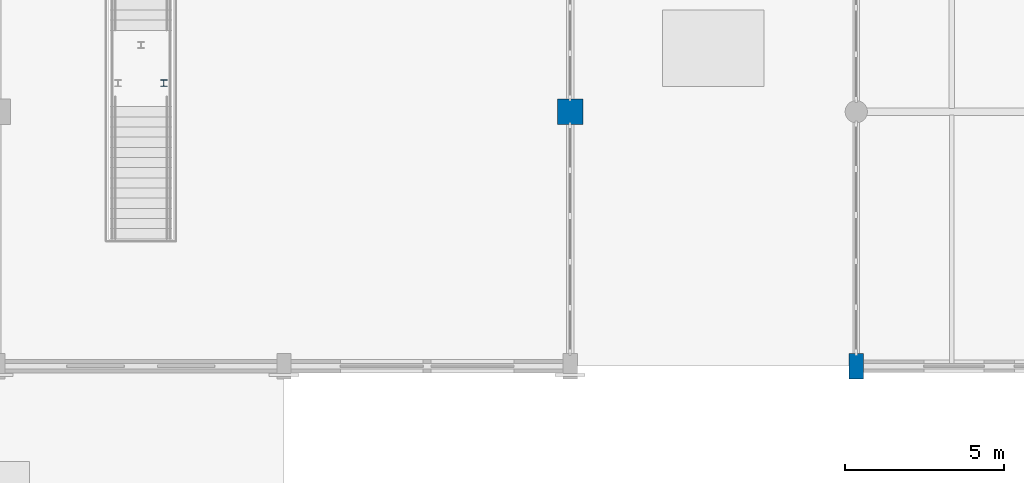
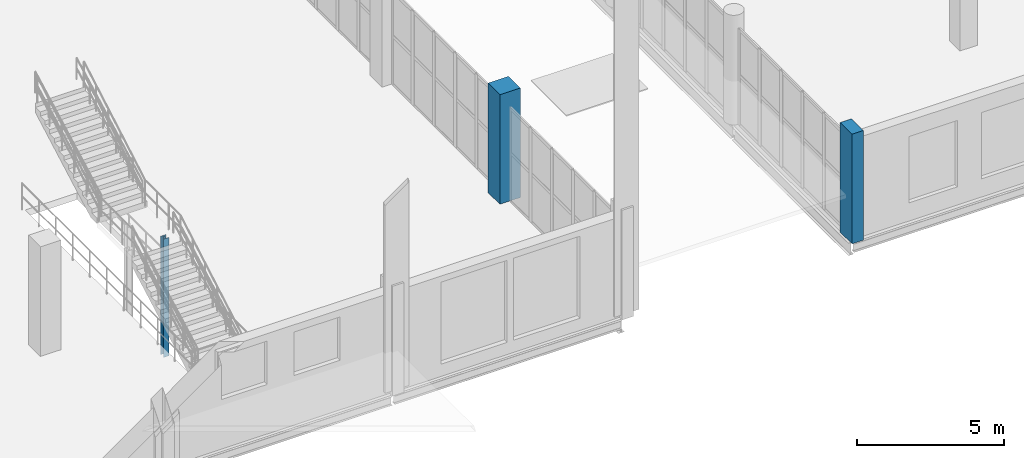
# One storey, part 7 of 93: 3 columns.
"""IFC4 building model written with IfcOpenShell, lengths in metres."""

from ifc_helpers import new_model, si_unit, direction, frame, origin, origin_2d, place, context, subcontext, project, spatial, rectangle, i_section, extrude, material, material_profile, profile_set, type_object, element, save


model = new_model("IFC4")

# Units and contexts
model_context = context("Model", 3, precision=1e-05, world=origin(), true_north=direction((0.0, 1.0)))
body_context = subcontext(model_context, "Body", "Model", "MODEL_VIEW")
ifc_project = project(units=[si_unit("LENGTHUNIT", "METRE"), si_unit("AREAUNIT", "SQUARE_METRE"), si_unit("VOLUMEUNIT", "CUBIC_METRE"), si_unit("PLANEANGLEUNIT", "RADIAN"), si_unit("MASSUNIT", "GRAM", prefix="KILO")], contexts=[model_context])

# Site, building, storey
site_placement = place(None, origin())
site = spatial("IfcSite", under=ifc_project, at=site_placement, CompositionType="ELEMENT")
building_placement = place(site_placement, origin())
building = spatial("IfcBuilding", under=site, at=building_placement, Name="Marnock Terrace Opera House", CompositionType="ELEMENT")
storey_placement = place(building_placement, frame((0.0, 0.0, 5.39990234375)))
storey = spatial("IfcBuildingStorey", under=building, at=storey_placement, Name="L01", CompositionType="ELEMENT", Elevation=5.39990234375)

# Columns
ifc_material_1 = material(Name="Concrete N40 (f'c = 40 MPa)", Category="concrete")
ifc_material_profile_1 = material_profile(ifc_material_1, rectangle(XDim=0.449951171875, YDim=0.800048828125, at=origin_2d()))
ifc_profile_set_1 = profile_set([ifc_material_profile_1], Name="Concrete N40 (f'c = 40 MPa)")
column_type_1 = type_object("IfcColumnType", Name="COL-PIL-800", PredefinedType="PILASTER", material=ifc_profile_set_1)
column_1_placement = place(storey_placement, frame((118.0, 8.0, 0.0), z_axis=(0.0, 0.0, 1.0), x_axis=(1.0, 0.0, 0.0)))
element("IfcColumn", 1, at=column_1_placement, inside=storey, type_object=column_type_1, Name="L01 column at (118.0, 8.0)", PredefinedType="PILASTER", context=body_context, shape_type="SweptSolid", body=[
    extrude(rectangle(XDim=0.449951171875, YDim=0.800048828125, at=origin_2d()), origin(), (0.0, 0.0, 1.0), 4.5400390625),
])
ifc_material_2 = material(Name="Concrete N50 (f'c = 50 MPa)", Category="concrete")
ifc_material_profile_2 = material_profile(ifc_material_2, rectangle(XDim=0.800048828125, YDim=0.800048828125, at=origin_2d()))
ifc_profile_set_2 = profile_set([ifc_material_profile_2], Name="Concrete N50 (f'c = 50 MPa)")
column_type_2 = type_object("IfcColumnType", Name="COL-RC800", PredefinedType="COLUMN", material=ifc_profile_set_2)
column_2_placement = place(storey_placement, frame((109.0, 16.0, 0.0), z_axis=(0.0, 0.0, 1.0), x_axis=(1.0, 0.0, 0.0)))
element("IfcColumn", 2, at=column_2_placement, inside=storey, type_object=column_type_2, Name="L01 column at (109.0, 16.0)", PredefinedType="COLUMN", context=body_context, shape_type="SweptSolid", body=[
    extrude(rectangle(XDim=0.800048828125, YDim=0.800048828125, at=origin_2d()), origin(), (0.0, 0.0, 1.0), 4.5400390625),
])
ifc_material_3 = material(Name="Steel Grade 350 (AS/NZS 3679.1)", Category="steel")
ifc_material_profile_3 = material_profile(ifc_material_3, i_section(OverallWidth=0.205078125, OverallDepth=0.209716796875, WebThickness=0.00927734375, FlangeThickness=0.01416015625, FilletRadius=0.011474609375, at=origin_2d()))
ifc_profile_set_3 = profile_set([ifc_material_profile_3], Name="Steel Grade 350 (AS/NZS 3679.1)")
column_type_3 = type_object("IfcColumnType", Name="COL-UC200", PredefinedType="COLUMN", material=ifc_profile_set_3)
column_3_placement = place(storey_placement, frame((96.219970703125, 16.89990234375, -2.699951171875), z_axis=(0.0, 0.0, 1.0), x_axis=(1.0, 0.0, 0.0)))
element("IfcColumn", 3, at=column_3_placement, inside=storey, type_object=column_type_3, Name="L01 Grand Stair ST-10 upper landing column SE", PredefinedType="COLUMN", context=body_context, shape_type="SweptSolid", body=[
    extrude(i_section(OverallWidth=0.205078125, OverallDepth=0.209716796875, WebThickness=0.00927734375, FlangeThickness=0.01416015625, FilletRadius=0.011474609375, at=origin_2d()), origin(), (0.0, 0.0, 1.0), 4.900146484375),
])

save(model, "model.ifc")
